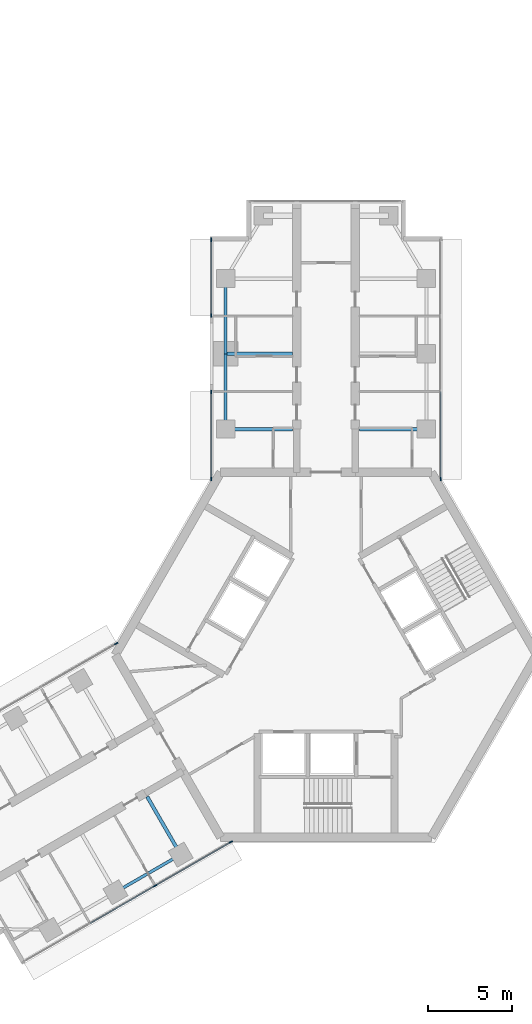
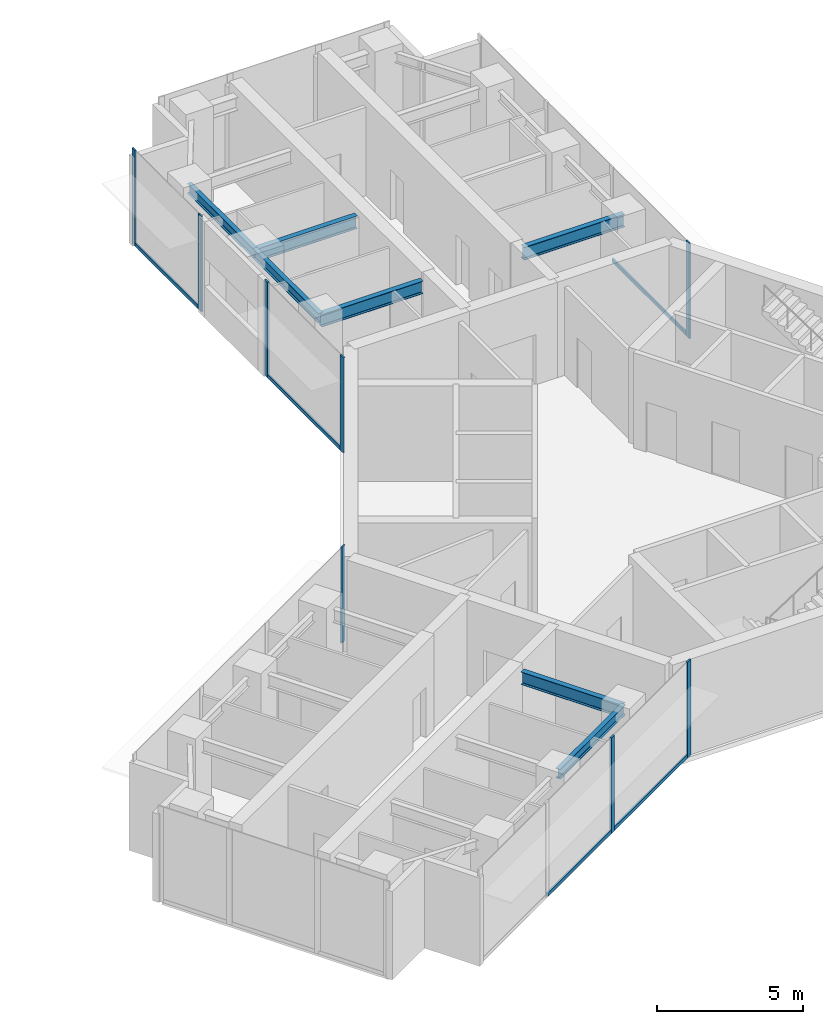
# One storey, part 8 of 17: 13 members, 7 beams, 5 elements without a shape of their own.
"""IFC4 building model written with IfcOpenShell, lengths in metres."""

from ifc_helpers import new_model, si_unit, direction, frame, origin, origin_2d, place, context, subcontext, project, spatial, rectangle, i_section, extrude, material, material_profile, profile_set, type_object, element, aggregate, save


model = new_model("IFC4")

# Units and contexts
model_context = context("Model", 3, precision=1e-05, world=origin(), true_north=direction((0.0, 1.0)))
body_context = subcontext(model_context, "Body", "Model", "MODEL_VIEW")
ifc_project = project(units=[si_unit("LENGTHUNIT", "METRE"), si_unit("AREAUNIT", "SQUARE_METRE"), si_unit("VOLUMEUNIT", "CUBIC_METRE"), si_unit("PLANEANGLEUNIT", "RADIAN"), si_unit("MASSUNIT", "GRAM", prefix="KILO")], contexts=[model_context])

# Site, building, storey
site_placement = place(None, origin())
site = spatial("IfcSite", under=ifc_project, at=site_placement, CompositionType="ELEMENT")
building_placement = place(site_placement, origin())
building = spatial("IfcBuilding", under=site, at=building_placement, Name="Upepo Twin Towers", CompositionType="ELEMENT")
storey_placement = place(building_placement, frame((0.0, 0.0, 234.5)))
storey = spatial("IfcBuildingStorey", under=building, at=storey_placement, Name="L57", CompositionType="ELEMENT", Elevation=234.5)

# Beams
ifc_material_1 = material(Name="Steel S355", Category="steel")
ifc_material_profile_1 = material_profile(ifc_material_1, i_section(OverallWidth=0.177978515625, OverallDepth=0.406494140625, WebThickness=0.0078125, FlangeThickness=0.0126953125, FilletRadius=0.01025390625, at=origin_2d()), Name="UB 406x178x60")
ifc_profile_set_1 = profile_set([ifc_material_profile_1], Name="Steel S355")
beam_type_1 = type_object("IfcBeamType", Name="Beam UB 406x178x60", PredefinedType="BEAM", material=ifc_profile_set_1)
for number, where, z_axis, x_axis, name in (
    (1, (52.5, -4.5, 3.496826171875), (0.0, 1.0, 0.0), (-1.0, 0.0, 0.0), "T2 edge beam AL 13.5-18.0"),
    (2, (52.5, 0.0, 3.496826171875), (0.0, 1.0, 0.0), (-1.0, 0.0, 0.0), "T2 edge beam AL 18.0-22.5"),
):
    element("IfcBeam", number, at=place(storey_placement, frame(where, z_axis=z_axis, x_axis=x_axis)), inside=storey, type_object=beam_type_1, Name=name, PredefinedType="BEAM", context=body_context, shape_type="SweptSolid", body=[
        extrude(i_section(OverallWidth=0.177978515625, OverallDepth=0.406494140625, WebThickness=0.0078125, FlangeThickness=0.0126953125, FilletRadius=0.01025390625, at=origin_2d()), origin(), (0.0, 0.0, 1.0), 4.5),
    ])
beam_placement = place(storey_placement, frame((49.80859375, -29.946044921875, 3.496826171875), z_axis=(-0.866017533419, -0.500013631625, 0.0), x_axis=(0.500013631625, -0.866017533419, 0.0)))
element("IfcBeam", 3, at=beam_placement, inside=storey, type_object=beam_type_1, Name="T2 edge beam BL 13.5-18.0", PredefinedType="BEAM", context=body_context, shape_type="SweptSolid", body=[
    extrude(i_section(OverallWidth=0.177978515625, OverallDepth=0.406494140625, WebThickness=0.0078125, FlangeThickness=0.0126953125, FilletRadius=0.01025390625, at=origin_2d()), origin(), (0.0, 0.0, 1.0), 4.499755859375),
])
ifc_material_2 = material(Name="Steel S355", Category="steel")
ifc_material_profile_2 = material_profile(ifc_material_2, i_section(OverallWidth=0.209228515625, OverallDepth=0.533203125, WebThickness=0.010009765625, FlangeThickness=0.015625, FilletRadius=0.0126953125, at=origin_2d()), Name="UB 533x210x92")
ifc_profile_set_2 = profile_set([ifc_material_profile_2], Name="Steel S355")
beam_type_2 = type_object("IfcBeamType", Name="Beam UB 533x210x92", PredefinedType="BEAM", material=ifc_profile_set_2)
for number, where, z_axis, x_axis, name in (
    (4, (52.5, -4.5, 3.433349609375), (1.0, 0.0, 0.0), (0.0, 1.0, 0.0), "T2 girder AL at 13.5"),
    (5, (52.5, 0.0, 3.433349609375), (1.0, 0.0, 0.0), (0.0, 1.0, 0.0), "T2 girder AL at 18.0"),
    (6, (64.5, -4.5, 3.433349609375), (-1.0, 0.0, 0.0), (0.0, -1.0, 0.0), "T2 girder AR at 13.5"),
    (7, (49.80859375, -29.946044921875, 3.433349609375), (-0.49999894854, 0.866026010844, 0.0), (-0.866026010844, -0.49999894854, 0.0), "T2 girder BL at 13.5"),
):
    element("IfcBeam", number, at=place(storey_placement, frame(where, z_axis=z_axis, x_axis=x_axis)), inside=storey, type_object=beam_type_2, Name=name, PredefinedType="BEAM", context=body_context, shape_type="SweptSolid", body=[
        extrude(i_section(OverallWidth=0.209228515625, OverallDepth=0.533203125, WebThickness=0.010009765625, FlangeThickness=0.015625, FilletRadius=0.0126953125, at=origin_2d()), origin(), (0.0, 0.0, 1.0), 4.0),
    ])

# Curtain wall, members
ifc_material_3 = material(Name="Aluminium and fritted glass", Category="aluminium")
curtain_wall_type = type_object("IfcCurtainWallType", Name="Tower curtain wall TW3, fritted glass", PredefinedType="NOTDEFINED", material=ifc_material_3)
curtain_wall_1_placement = place(storey_placement, origin())
curtain_wall_1 = element("IfcCurtainWall", 8, at=curtain_wall_1_placement, inside=storey, type_object=curtain_wall_type, Name="T2 L57 wing A flank L curtain wall", PredefinedType="NOTDEFINED")
ifc_material_4 = material(Name="Aluminium mullion", Category="aluminium")
ifc_material_profile_3 = material_profile(ifc_material_4, rectangle(XDim=0.06494140625, YDim=0.22509765625, at=origin_2d()), Name="MULLION 65x225")
ifc_profile_set_3 = profile_set([ifc_material_profile_3], Name="Aluminium mullion")
member_type_1 = type_object("IfcMemberType", Name="Mullion 65x225 TW3", PredefinedType="MULLION", material=ifc_profile_set_3)
member_1_placement = place(storey_placement, frame((51.64990234375, -7.48046875, 0.0), z_axis=(0.0, 0.0, 1.0), x_axis=(-1.0, 0.0, 0.0)))
member_1 = element("IfcMember", 9, at=member_1_placement, type_object=member_type_1, Name="T2 L57 wing A flank L curtain wall mullion 1", PredefinedType="MULLION", context=body_context, shape_type="SweptSolid", body=[
    extrude(rectangle(XDim=0.06494140625, YDim=0.22509765625, at=origin_2d()), origin(), (0.0, 0.0, 1.0), 4.0),
])
member_2_placement = place(storey_placement, frame((51.64990234375, -2.282470703125, 0.0), z_axis=(0.0, 0.0, 1.0), x_axis=(-1.0, 0.0, 0.0)))
member_2 = element("IfcMember", 10, at=member_2_placement, type_object=member_type_1, Name="T2 L57 wing A flank L curtain wall mullion 2", PredefinedType="MULLION", context=body_context, shape_type="SweptSolid", body=[
    extrude(rectangle(XDim=0.06494140625, YDim=0.22509765625, at=origin_2d()), origin(), (0.0, 0.0, 1.0), 4.0),
])

curtain_wall_2_placement = place(storey_placement, origin())
curtain_wall_2 = element("IfcCurtainWall", 11, at=curtain_wall_2_placement, inside=storey, type_object=curtain_wall_type, Name="T2 L57 wing A flank L curtain wall 2", PredefinedType="NOTDEFINED")
member_3_placement = place(storey_placement, frame((51.64990234375, 2.282470703125, 0.0), z_axis=(0.0, 0.0, 1.0), x_axis=(-1.0, 0.0, 0.0)))
member_3 = element("IfcMember", 12, at=member_3_placement, type_object=member_type_1, Name="T2 L57 wing A flank L curtain wall 2 mullion 1", PredefinedType="MULLION", context=body_context, shape_type="SweptSolid", body=[
    extrude(rectangle(XDim=0.06494140625, YDim=0.22509765625, at=origin_2d()), origin(), (0.0, 0.0, 1.0), 4.0),
])
member_4_placement = place(storey_placement, frame((51.64990234375, 6.8173828125, 0.0), z_axis=(0.0, 0.0, 1.0), x_axis=(-1.0, 0.0, 0.0)))
member_4 = element("IfcMember", 13, at=member_4_placement, type_object=member_type_1, Name="T2 L57 wing A flank L curtain wall 2 mullion 2", PredefinedType="MULLION", context=body_context, shape_type="SweptSolid", body=[
    extrude(rectangle(XDim=0.06494140625, YDim=0.22509765625, at=origin_2d()), origin(), (0.0, 0.0, 1.0), 4.0),
])

# Curtain wall, member
curtain_wall_3_placement = place(storey_placement, origin())
curtain_wall_3 = element("IfcCurtainWall", 14, at=curtain_wall_3_placement, inside=storey, type_object=curtain_wall_type, Name="T2 L57 wing A flank R curtain wall", PredefinedType="NOTDEFINED")
member_5_placement = place(storey_placement, frame((65.35009765625, -7.48046875, 0.0), z_axis=(0.0, 0.0, 1.0), x_axis=(1.0, 0.0, 0.0)))
member_5 = element("IfcMember", 15, at=member_5_placement, type_object=member_type_1, Name="T2 L57 wing A flank R curtain wall mullion 4", PredefinedType="MULLION", context=body_context, shape_type="SweptSolid", body=[
    extrude(rectangle(XDim=0.06494140625, YDim=0.22509765625, at=origin_2d()), origin(), (0.0, 0.0, 1.0), 4.0),
])

# Curtain wall, members
curtain_wall_4_placement = place(storey_placement, origin())
curtain_wall_4 = element("IfcCurtainWall", 16, at=curtain_wall_4_placement, inside=storey, type_object=curtain_wall_type, Name="T2 L57 wing B flank L curtain wall", PredefinedType="NOTDEFINED")
member_6_placement = place(storey_placement, frame((52.814697265625, -29.192138671875, 0.0), z_axis=(0.0, 0.0, 1.0), x_axis=(0.500000026527, -0.866025388469, 0.0)))
member_6 = element("IfcMember", 17, at=member_6_placement, type_object=member_type_1, Name="T2 L57 wing B flank L curtain wall mullion 1", PredefinedType="MULLION", context=body_context, shape_type="SweptSolid", body=[
    extrude(rectangle(XDim=0.06494140625, YDim=0.22509765625, at=origin_2d()), origin(), (0.0, 0.0, 1.0), 4.0),
])
member_7_placement = place(storey_placement, frame((48.28515625, -31.807373046875, 0.0), z_axis=(0.0, 0.0, 1.0), x_axis=(0.500000026527, -0.866025388469, 0.0)))
member_7 = element("IfcMember", 18, at=member_7_placement, type_object=member_type_1, Name="T2 L57 wing B flank L curtain wall mullion 2", PredefinedType="MULLION", context=body_context, shape_type="SweptSolid", body=[
    extrude(rectangle(XDim=0.06494140625, YDim=0.22509765625, at=origin_2d()), origin(), (0.0, 0.0, 1.0), 4.0),
])

# Curtain wall, member
curtain_wall_5_placement = place(storey_placement, origin())
curtain_wall_5 = element("IfcCurtainWall", 19, at=curtain_wall_5_placement, inside=storey, type_object=curtain_wall_type, Name="T2 L57 wing B flank R curtain wall", PredefinedType="NOTDEFINED")
member_8_placement = place(storey_placement, frame((45.96484375, -17.32763671875, 0.0), z_axis=(0.0, 0.0, 1.0), x_axis=(-0.500000026527, 0.866025388469, 0.0)))
member_8 = element("IfcMember", 20, at=member_8_placement, type_object=member_type_1, Name="T2 L57 wing B flank R curtain wall mullion 4", PredefinedType="MULLION", context=body_context, shape_type="SweptSolid", body=[
    extrude(rectangle(XDim=0.06494140625, YDim=0.22509765625, at=origin_2d()), origin(), (0.0, 0.0, 1.0), 4.0),
])
aggregate(curtain_wall_5, [member_8])

# Member
ifc_material_5 = material(Name="Aluminium transom", Category="aluminium")
ifc_material_profile_4 = material_profile(ifc_material_5, rectangle(XDim=0.06494140625, YDim=0.14990234375, at=origin_2d()), Name="TRANSOM 65x150")
ifc_profile_set_4 = profile_set([ifc_material_profile_4], Name="Aluminium transom")
member_type_2 = type_object("IfcMemberType", Name="Transom 65x150 TW3", PredefinedType="USERDEFINED", material=ifc_profile_set_4)
member_9_placement = place(storey_placement, frame((51.64990234375, -7.447998046875, 0.074951171875), z_axis=(0.0, 1.0, 0.0), x_axis=(-1.0, 0.0, 0.0)))
member_9 = element("IfcMember", 21, at=member_9_placement, type_object=member_type_2, Name="T2 L57 wing A flank L curtain wall transom 1", ObjectType="TRANSOM", PredefinedType="USERDEFINED", context=body_context, shape_type="SweptSolid", body=[
    extrude(rectangle(XDim=0.06494140625, YDim=0.14990234375, at=origin_2d()), origin(), (0.0, 0.0, 1.0), 5.133056640625),
])

aggregate(curtain_wall_1, [member_1, member_2, member_9])

member_10_placement = place(storey_placement, frame((51.64990234375, 2.31494140625, 0.074951171875), z_axis=(0.0, 1.0, 0.0), x_axis=(-1.0, 0.0, 0.0)))
member_10 = element("IfcMember", 22, at=member_10_placement, type_object=member_type_2, Name="T2 L57 wing A flank L curtain wall 2 transom 1", ObjectType="TRANSOM", PredefinedType="USERDEFINED", context=body_context, shape_type="SweptSolid", body=[
    extrude(rectangle(XDim=0.06494140625, YDim=0.14990234375, at=origin_2d()), origin(), (0.0, 0.0, 1.0), 4.469970703125),
])

aggregate(curtain_wall_2, [member_3, member_4, member_10])

member_11_placement = place(storey_placement, frame((65.35009765625, -2.282470703125, 0.074951171875), z_axis=(0.0, -1.0, 0.0), x_axis=(1.0, 0.0, 0.0)))
member_11 = element("IfcMember", 23, at=member_11_placement, type_object=member_type_2, Name="T2 L57 wing A flank R curtain wall transom 3", ObjectType="TRANSOM", PredefinedType="USERDEFINED", context=body_context, shape_type="SweptSolid", body=[
    extrude(rectangle(XDim=0.06494140625, YDim=0.14990234375, at=origin_2d()), origin(), (0.0, 0.0, 1.0), 5.16552734375),
])

aggregate(curtain_wall_3, [member_5, member_11])

member_12_placement = place(storey_placement, frame((52.78662109375, -29.208251953125, 0.074951171875), z_axis=(-0.86602108507, -0.500007480159, 0.0), x_axis=(0.500007480159, -0.86602108507, 0.0)))
member_12 = element("IfcMember", 24, at=member_12_placement, type_object=member_type_2, Name="T2 L57 wing B flank L curtain wall transom 1", ObjectType="TRANSOM", PredefinedType="USERDEFINED", context=body_context, shape_type="SweptSolid", body=[
    extrude(rectangle(XDim=0.06494140625, YDim=0.14990234375, at=origin_2d()), origin(), (0.0, 0.0, 1.0), 5.16552734375),
])

member_13_placement = place(storey_placement, frame((48.2568359375, -31.823486328125, 0.074951171875), z_axis=(-0.866022410713, -0.500005184116, 0.0), x_axis=(0.500005184116, -0.866022410713, 0.0)))
member_13 = element("IfcMember", 25, at=member_13_placement, type_object=member_type_2, Name="T2 L57 wing B flank L curtain wall transom 2", ObjectType="TRANSOM", PredefinedType="USERDEFINED", context=body_context, shape_type="SweptSolid", body=[
    extrude(rectangle(XDim=0.06494140625, YDim=0.14990234375, at=origin_2d()), origin(), (0.0, 0.0, 1.0), 4.43505859375),
])

aggregate(curtain_wall_4, [member_6, member_7, member_12, member_13])

save(model, "model.ifc")
